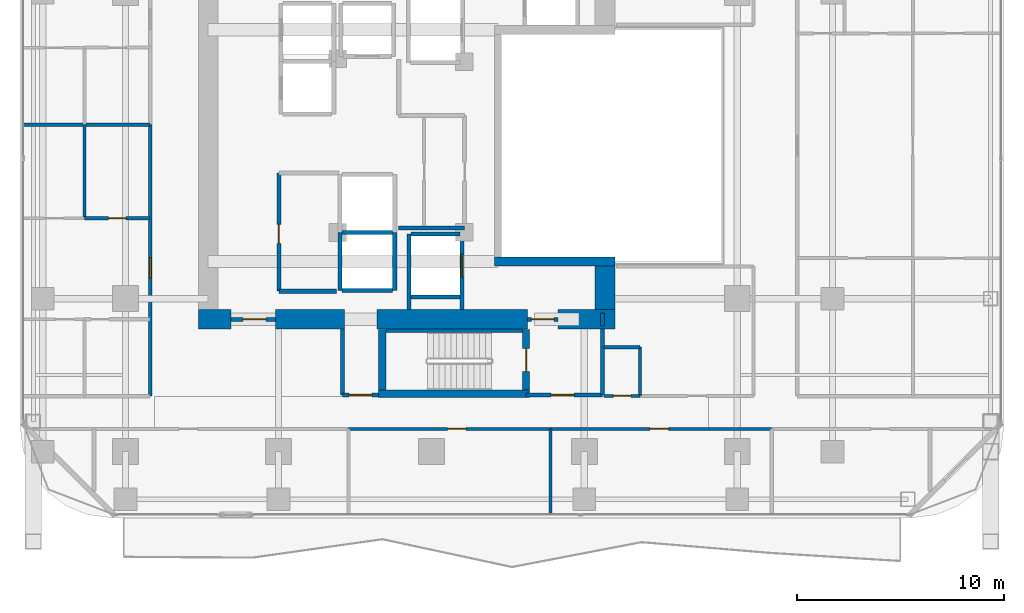
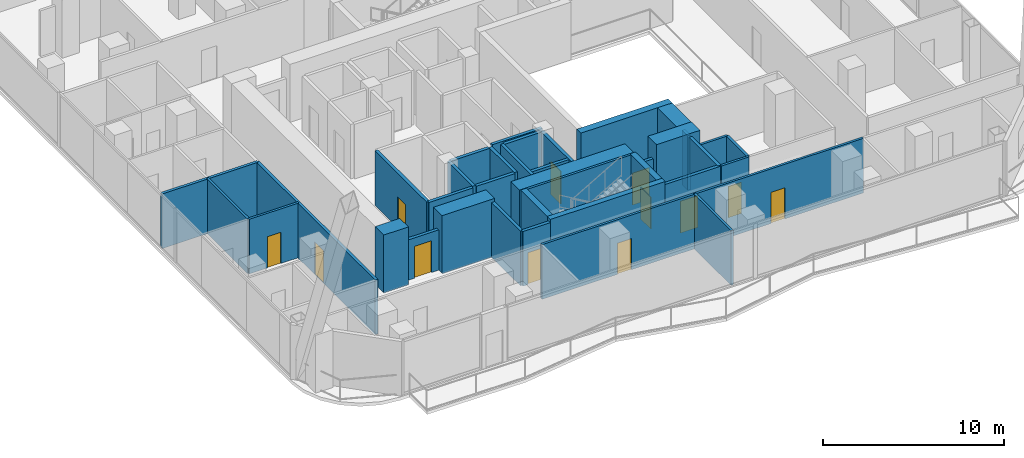
# One storey, part 21 of 28: 38 walls, 12 doors, 12 openings.
"""IFC4 building model written with IfcOpenShell, lengths in metres."""

from ifc_helpers import new_model, si_unit, direction, frame, frame_2d, origin, place, context, subcontext, project, spatial, rectangle, extrude, material, layer, layer_set, type_object, element, fill, save


model = new_model("IFC4")

# Units and contexts
model_context = context("Model", 3, precision=1e-05, world=origin(), true_north=direction((0.0, 1.0)))
body_context = subcontext(model_context, "Body", "Model", "MODEL_VIEW")
ifc_project = project(units=[si_unit("LENGTHUNIT", "METRE"), si_unit("AREAUNIT", "SQUARE_METRE"), si_unit("VOLUMEUNIT", "CUBIC_METRE"), si_unit("PLANEANGLEUNIT", "RADIAN"), si_unit("MASSUNIT", "GRAM", prefix="KILO")], contexts=[model_context])

# Site, building, storey
site_placement = place(None, origin())
site = spatial("IfcSite", under=ifc_project, at=site_placement, CompositionType="ELEMENT")
building_placement = place(site_placement, origin())
building = spatial("IfcBuilding", under=site, at=building_placement, Name="Khorvyn Point Tower", CompositionType="ELEMENT")
storey_placement = place(building_placement, frame((0.0, 0.0, 121.199951171875)))
storey = spatial("IfcBuildingStorey", under=building, at=storey_placement, Name="L30", CompositionType="ELEMENT", Elevation=121.199951171875)

# Wall, opening, door
ifc_material_1 = material(Name="Double acoustic gypsum on twin steel stud", Category="steel")
ifc_layer_1 = layer(ifc_material_1, 0.179931640625)
ifc_layer_set_1 = layer_set([ifc_layer_1], Name="Acoustic Double-Stud Apartment Demising Wall 180")
wall_type_1 = type_object("IfcWallType", Name="Acoustic Double-Stud Apartment Demising Wall 180", PredefinedType="PARTITIONING", material=ifc_layer_set_1)
wall_1_placement = place(storey_placement, frame((-13.60009765625, -12.1201171875, 0.0), z_axis=(0.0, 0.0, 1.0), x_axis=(0.0, 1.0, 0.0)))
wall_1 = element("IfcWall", 1, at=wall_1_placement, inside=storey, type_object=wall_type_1, Name="Wall", PredefinedType="PARTITIONING", context=body_context, shape_type="SweptSolid", body=[
    extrude(rectangle(XDim=13.13818359375, YDim=0.179931640625, at=frame_2d((6.569091796875, 0.0))), origin(), (0.0, 0.0, 1.0), 3.679931640625),
])
opening_1_placement = place(wall_1_placement, frame((5.7109375, 0.0, 0.0)))
opening_1 = element("IfcOpeningElement", 2, at=opening_1_placement, cuts=wall_1, Name="Opening ID-AP60", PredefinedType="OPENING", context=body_context, shape_type="SweptSolid", body=[
    extrude(rectangle(XDim=1.0, YDim=2.199951171875, at=frame_2d((0.5, 1.10009765625))), frame((0.0, 0.099853515625, 0.0), z_axis=(0.0, -1.0, 0.0), x_axis=(1.0, 0.0, 0.0)), (0.0, 0.0, 1.0), 0.199951171875),
])
ifc_material_2 = material(Name="Engineered hardwood fire-rated leaf", Category="wood")
door_type_1 = type_object("IfcDoorType", Name="Acoustic Solid-Core Timber Apartment Entrance Door 1000x2200", OperationType="NOTDEFINED", PredefinedType="DOOR", material=ifc_material_2)
door_1_placement = place(opening_1_placement, origin())
door_1 = element("IfcDoor", 3, at=door_1_placement, inside=storey, type_object=door_type_1, Name="Door", OperationType="SINGLE_SWING_RIGHT", OverallHeight=2.199951171875, OverallWidth=1.0, PredefinedType="DOOR", context=body_context, shape_type="SweptSolid", body=[
    extrude(rectangle(XDim=1.0, YDim=2.199951171875, at=frame_2d((0.5, 1.10009765625))), frame((0.0, 0.02490234375, 0.0), z_axis=(0.0, -1.0, 0.0), x_axis=(1.0, 0.0, 0.0)), (0.0, 0.0, 1.0), 0.050048828125),
])
fill(opening_1, door_1)

# Walls
wall_2_placement = place(storey_placement, frame((-19.72998046875, 1.01806640625, 0.0), z_axis=(0.0, 0.0, 1.0), x_axis=(1.0, 0.0, 0.0)))
element("IfcWall", 4, at=wall_2_placement, inside=storey, type_object=wall_type_1, Name="Wall", PredefinedType="PARTITIONING", context=body_context, shape_type="SweptSolid", body=[
    extrude(rectangle(XDim=6.1298828125, YDim=0.179931640625, at=frame_2d((3.06494140625, 0.0))), origin(), (0.0, 0.0, 1.0), 3.679931640625),
])
ifc_material_3 = material(Name="Concrete C40/50", Category="concrete")
ifc_layer_2 = layer(ifc_material_3, 0.449951171875)
ifc_layer_set_2 = layer_set([ifc_layer_2], Name="Concrete C40/50 Core Shear Wall 450")
wall_type_2 = type_object("IfcWallType", Name="Concrete C40/50 Core Shear Wall 450", PredefinedType="SHEAR", material=ifc_layer_set_2)
wall_3_placement = place(storey_placement, frame((3.044921875, -5.60009765625, 0.0), z_axis=(0.0, 0.0, 1.0), x_axis=(1.0, 0.0, 0.0)))
element("IfcWall", 5, at=wall_3_placement, inside=storey, type_object=wall_type_2, Name="Wall", PredefinedType="SHEAR", context=body_context, shape_type="SweptSolid", body=[
    extrude(rectangle(XDim=5.830078125, YDim=0.449951171875, at=frame_2d((2.9150390625, 0.0))), origin(), (0.0, 0.0, 1.0), 3.900146484375),
])

# Wall, opening, door
ifc_layer_3 = layer(ifc_material_3, 0.199951171875)
ifc_layer_set_3 = layer_set([ifc_layer_3], Name="Concrete C40/50 Fire-Lobby Compartment Wall 200")
wall_type_3 = type_object("IfcWallType", Name="Concrete C40/50 Fire-Lobby Compartment Wall 200", PredefinedType="SOLIDWALL", material=ifc_layer_set_3)
wall_4_placement = place(storey_placement, frame((4.580078125, -12.06005859375, 0.0), z_axis=(0.0, 0.0, 1.0), x_axis=(1.0, 0.0, 0.0)))
wall_4 = element("IfcWall", 6, at=wall_4_placement, inside=storey, type_object=wall_type_3, Name="Wall", PredefinedType="SOLIDWALL", context=body_context, shape_type="SweptSolid", body=[
    extrude(rectangle(XDim=3.699951171875, YDim=0.199951171875, at=frame_2d((1.85009765625, 0.0))), origin(), (0.0, 0.0, 1.0), 3.679931640625),
])
opening_2_placement = place(wall_4_placement, frame((1.21240234375, 0.0, 0.0)))
opening_2 = element("IfcOpeningElement", 7, at=opening_2_placement, cuts=wall_4, Name="Opening ID-FL90", PredefinedType="OPENING", context=body_context, shape_type="SweptSolid", body=[
    extrude(rectangle(XDim=1.10009765625, YDim=2.14990234375, at=frame_2d((0.550048828125, 1.074951171875))), frame((0.0, 0.10986328125, 0.0), z_axis=(0.0, -1.0, 0.0), x_axis=(1.0, 0.0, 0.0)), (0.0, 0.0, 1.0), 0.219970703125),
])
ifc_material_4 = material(Name="Galvanised powder-coated steel", Category="steel")
door_type_2 = type_object("IfcDoorType", Name="Fire-Rated Steel Lobby and Stair Door 1100x2150", OperationType="NOTDEFINED", PredefinedType="DOOR", material=ifc_material_4)
door_2_placement = place(opening_2_placement, origin())
door_2 = element("IfcDoor", 8, at=door_2_placement, inside=storey, type_object=door_type_2, Name="Door", OperationType="SINGLE_SWING_RIGHT", OverallHeight=2.14990234375, OverallWidth=1.10009765625, PredefinedType="DOOR", context=body_context, shape_type="SweptSolid", body=[
    extrude(rectangle(XDim=1.10009765625, YDim=2.14990234375, at=frame_2d((0.550048828125, 1.074951171875))), frame((0.0, 0.02490234375, 0.0), z_axis=(0.0, -1.0, 0.0), x_axis=(1.0, 0.0, 0.0)), (0.0, 0.0, 1.0), 0.050048828125),
])
fill(opening_2, door_2)

wall_5_placement = place(storey_placement, frame((4.64990234375, -8.39990234375, 0.0), z_axis=(0.0, 0.0, 1.0), x_axis=(1.0, 0.0, 0.0)))
wall_5 = element("IfcWall", 9, at=wall_5_placement, inside=storey, type_object=wall_type_3, Name="Wall", PredefinedType="SOLIDWALL", context=body_context, shape_type="SweptSolid", body=[
    extrude(rectangle(XDim=1.47021484375, YDim=0.199951171875, at=frame_2d((0.735107421875, 0.0))), origin(), (0.0, 0.0, 1.0), 2.719970703125),
])
opening_3_placement = place(wall_5_placement, frame((0.18505859375, 0.0, 0.0)))
opening_3 = element("IfcOpeningElement", 10, at=opening_3_placement, cuts=wall_5, Name="Opening ID-FL90", PredefinedType="OPENING", context=body_context, shape_type="SweptSolid", body=[
    extrude(rectangle(XDim=1.10009765625, YDim=2.14990234375, at=frame_2d((0.550048828125, 1.074951171875))), frame((0.0, 0.10986328125, 0.0), z_axis=(0.0, -1.0, 0.0), x_axis=(1.0, 0.0, 0.0)), (0.0, 0.0, 1.0), 0.219970703125),
])
door_3_placement = place(opening_3_placement, origin())
door_3 = element("IfcDoor", 11, at=door_3_placement, inside=storey, type_object=door_type_2, Name="Door", OperationType="SINGLE_SWING_LEFT", OverallHeight=2.14990234375, OverallWidth=1.10009765625, PredefinedType="DOOR", context=body_context, shape_type="SweptSolid", body=[
    extrude(rectangle(XDim=1.10009765625, YDim=2.14990234375, at=frame_2d((0.550048828125, 1.074951171875))), frame((0.0, 0.02490234375, 0.0), z_axis=(0.0, -1.0, 0.0), x_axis=(1.0, 0.0, 0.0)), (0.0, 0.0, 1.0), 0.050048828125),
])
fill(opening_3, door_3)

wall_6_placement = place(storey_placement, frame((-9.699951171875, -8.39990234375, 0.0), z_axis=(0.0, 0.0, 1.0), x_axis=(1.0, 0.0, 0.0)))
wall_6 = element("IfcWall", 12, at=wall_6_placement, inside=storey, type_object=wall_type_3, Name="Wall", PredefinedType="SOLIDWALL", context=body_context, shape_type="SweptSolid", body=[
    extrude(rectangle(XDim=2.14990234375, YDim=0.199951171875, at=frame_2d((1.074951171875, 0.0))), origin(), (0.0, 0.0, 1.0), 2.719970703125),
])
opening_4_placement = place(wall_6_placement, frame((0.597900390625, 0.0, 0.0)))
opening_4 = element("IfcOpeningElement", 13, at=opening_4_placement, cuts=wall_6, Name="Opening ID-FL90", PredefinedType="OPENING", context=body_context, shape_type="SweptSolid", body=[
    extrude(rectangle(XDim=1.10009765625, YDim=2.14990234375, at=frame_2d((0.550048828125, 1.074951171875))), frame((0.0, 0.10986328125, 0.0), z_axis=(0.0, -1.0, 0.0), x_axis=(1.0, 0.0, 0.0)), (0.0, 0.0, 1.0), 0.219970703125),
])
door_4_placement = place(opening_4_placement, origin())
door_4 = element("IfcDoor", 14, at=door_4_placement, inside=storey, type_object=door_type_2, Name="Door", OperationType="SINGLE_SWING_LEFT", OverallHeight=2.14990234375, OverallWidth=1.10009765625, PredefinedType="DOOR", context=body_context, shape_type="SweptSolid", body=[
    extrude(rectangle(XDim=1.10009765625, YDim=2.14990234375, at=frame_2d((0.550048828125, 1.074951171875))), frame((0.0, 0.02490234375, 0.0), z_axis=(0.0, -1.0, 0.0), x_axis=(1.0, 0.0, 0.0)), (0.0, 0.0, 1.0), 0.050048828125),
])
fill(opening_4, door_4)

wall_7_placement = place(storey_placement, frame((-4.300048828125, -12.06005859375, 0.0), z_axis=(0.0, 0.0, 1.0), x_axis=(1.0, 0.0, 0.0)))
wall_7 = element("IfcWall", 15, at=wall_7_placement, inside=storey, type_object=wall_type_3, Name="Wall", PredefinedType="SOLIDWALL", context=body_context, shape_type="SweptSolid", body=[
    extrude(rectangle(XDim=1.75, YDim=0.199951171875, at=frame_2d((0.875, 0.0))), origin(), (0.0, 0.0, 1.0), 3.679931640625),
])
opening_5_placement = place(wall_7_placement, frame((0.324951171875, 0.0, 0.0)))
opening_5 = element("IfcOpeningElement", 16, at=opening_5_placement, cuts=wall_7, Name="Opening ID-FL90", PredefinedType="OPENING", context=body_context, shape_type="SweptSolid", body=[
    extrude(rectangle(XDim=1.10009765625, YDim=2.14990234375, at=frame_2d((0.550048828125, 1.074951171875))), frame((0.0, 0.10986328125, 0.0), z_axis=(0.0, -1.0, 0.0), x_axis=(1.0, 0.0, 0.0)), (0.0, 0.0, 1.0), 0.219970703125),
])
door_5_placement = place(opening_5_placement, origin())
door_5 = element("IfcDoor", 17, at=door_5_placement, inside=storey, type_object=door_type_2, Name="Door", OperationType="SINGLE_SWING_LEFT", OverallHeight=2.14990234375, OverallWidth=1.10009765625, PredefinedType="DOOR", context=body_context, shape_type="SweptSolid", body=[
    extrude(rectangle(XDim=1.10009765625, YDim=2.14990234375, at=frame_2d((0.550048828125, 1.074951171875))), frame((0.0, 0.02490234375, 0.0), z_axis=(0.0, -1.0, 0.0), x_axis=(1.0, 0.0, 0.0)), (0.0, 0.0, 1.0), 0.050048828125),
])
fill(opening_5, door_5)

wall_8_placement = place(storey_placement, frame((-7.3798828125, -7.0400390625, 0.0), z_axis=(0.0, 0.0, 1.0), x_axis=(0.0, 1.0, 0.0)))
wall_8 = element("IfcWall", 18, at=wall_8_placement, inside=storey, type_object=wall_type_3, Name="Wall", PredefinedType="SOLIDWALL", context=body_context, shape_type="SweptSolid", body=[
    extrude(rectangle(XDim=5.719970703125, YDim=0.199951171875, at=frame_2d((2.85986328125, 0.0))), origin(), (0.0, 0.0, 1.0), 3.679931640625),
])
opening_6_placement = place(wall_8_placement, frame((2.310302734375, 0.0, 0.0)))
opening_6 = element("IfcOpeningElement", 19, at=opening_6_placement, cuts=wall_8, Name="Opening ID-RS60", PredefinedType="OPENING", context=body_context, shape_type="SweptSolid", body=[
    extrude(rectangle(XDim=0.919921875, YDim=2.10009765625, at=frame_2d((0.4599609375, 1.050048828125))), frame((0.0, 0.10986328125, 0.0), z_axis=(0.0, -1.0, 0.0), x_axis=(1.0, 0.0, 0.0)), (0.0, 0.0, 1.0), 0.219970703125),
])
door_type_3 = type_object("IfcDoorType", Name="Fire-Rated Riser and Store Steel Door 920x2100", OperationType="NOTDEFINED", PredefinedType="DOOR", material=ifc_material_4)
door_6_placement = place(opening_6_placement, origin())
door_6 = element("IfcDoor", 20, at=door_6_placement, inside=storey, type_object=door_type_3, Name="Door", OperationType="SINGLE_SWING_RIGHT", OverallHeight=2.10009765625, OverallWidth=0.919921875, PredefinedType="DOOR", context=body_context, shape_type="SweptSolid", body=[
    extrude(rectangle(XDim=0.919921875, YDim=2.10009765625, at=frame_2d((0.4599609375, 1.050048828125))), frame((0.0, 0.02490234375, 0.0), z_axis=(0.0, -1.0, 0.0), x_axis=(1.0, 0.0, 0.0)), (0.0, 0.0, 1.0), 0.050048828125),
])
fill(opening_6, door_6)

# Walls
for number, where, z_axis, x_axis, name in (
    (21, (8.280029296875, -12.06005859375, 0.0), (0.0, 0.0, 1.0), (0.0, 1.0, 0.0), "Wall"),
    (22, (-4.300048828125, -12.06005859375, 0.0), (0.0, 0.0, 1.0), (0.0, 1.0, 0.0), "Wall"),
):
    element("IfcWall", number, at=place(storey_placement, frame(where, z_axis=z_axis, x_axis=x_axis)), inside=storey, type_object=wall_type_3, Name=name, PredefinedType="SOLIDWALL", context=body_context, shape_type="SweptSolid", body=[
        extrude(rectangle(XDim=3.18505859375, YDim=0.199951171875, at=frame_2d((1.592529296875, 0.0))), origin(), (0.0, 0.0, 1.0), 3.679931640625),
    ])
wall_9_placement = place(storey_placement, frame((-1.580078125, -3.97998046875, 0.0), z_axis=(0.0, 0.0, 1.0), x_axis=(1.0, 0.0, 0.0)))
element("IfcWall", 23, at=wall_9_placement, inside=storey, type_object=wall_type_3, Name="Wall", PredefinedType="SOLIDWALL", context=body_context, shape_type="SweptSolid", body=[
    extrude(rectangle(XDim=3.190185546875, YDim=0.199951171875, at=frame_2d((1.59521484375, 0.0))), origin(), (0.0, 0.0, 1.0), 3.679931640625),
])
wall_10_placement = place(storey_placement, frame((-7.3798828125, -7.0400390625, 0.0), z_axis=(0.0, 0.0, 1.0), x_axis=(1.0, 0.0, 0.0)))
element("IfcWall", 24, at=wall_10_placement, inside=storey, type_object=wall_type_3, Name="Wall", PredefinedType="SOLIDWALL", context=body_context, shape_type="SweptSolid", body=[
    extrude(rectangle(XDim=2.7998046875, YDim=0.199951171875, at=frame_2d((1.39990234375, 0.0))), origin(), (0.0, 0.0, 1.0), 3.679931640625),
])
wall_11_placement = place(storey_placement, frame((8.280029296875, -8.72509765625, 0.0), z_axis=(0.0, 0.0, 1.0), x_axis=(0.0, 1.0, 0.0)))
element("IfcWall", 25, at=wall_11_placement, inside=storey, type_object=wall_type_3, Name="Wall", PredefinedType="SOLIDWALL", context=body_context, shape_type="SweptSolid", body=[
    extrude(rectangle(XDim=0.625, YDim=0.199951171875, at=frame_2d((0.3125, 0.0))), origin(), (0.0, 0.0, 1.0), 3.679931640625),
])
ifc_layer_4 = layer(ifc_material_3, 0.25)
ifc_layer_set_4 = layer_set([ifc_layer_4], Name="Concrete C40/50 Stair Inner Cheek Structural Wall 250")
wall_type_4 = type_object("IfcWallType", Name="Concrete C40/50 Stair Inner Cheek Structural Wall 250", PredefinedType="SHEAR", material=ifc_layer_set_4)
wall_12_placement = place(storey_placement, frame((-2.199951171875, -8.949951171875, 0.0), z_axis=(0.0, 0.0, 1.0), x_axis=(1.0, 0.0, 0.0)))
element("IfcWall", 26, at=wall_12_placement, inside=storey, type_object=wall_type_4, Name="Wall", PredefinedType="SHEAR", context=body_context, shape_type="SweptSolid", body=[
    extrude(rectangle(XDim=6.599853515625, YDim=0.14990234375, at=frame_2d((3.2998046875, 0.0))), origin(), (0.0, 0.0, 1.0), 3.900146484375),
])
ifc_layer_5 = layer(ifc_material_3, 0.35009765625)
ifc_layer_set_5 = layer_set([ifc_layer_5], Name="Concrete C40/50 Stair Shaft Structural Wall 350")
wall_type_5 = type_object("IfcWallType", Name="Concrete C40/50 Stair Shaft Structural Wall 350", PredefinedType="SHEAR", material=ifc_layer_set_5)
wall_13_placement = place(storey_placement, frame((-2.554931640625, -12.0, 0.0), z_axis=(0.0, 0.0, 1.0), x_axis=(1.0, 0.0, 0.0)))
element("IfcWall", 27, at=wall_13_placement, inside=storey, type_object=wall_type_5, Name="L30 ST-01 South Shaft Wall", PredefinedType="SHEAR", context=body_context, shape_type="SweptSolid", body=[
    extrude(rectangle(XDim=7.309814453125, YDim=0.35009765625, at=frame_2d((3.65478515625, 0.0))), origin(), (0.0, 0.0, 1.0), 3.900146484375),
])
wall_14_placement = place(storey_placement, frame((-2.3798828125, -11.824951171875, 0.0), z_axis=(0.0, 0.0, 1.0), x_axis=(0.0, 1.0, 0.0)))
element("IfcWall", 28, at=wall_14_placement, inside=storey, type_object=wall_type_5, Name="L30 ST-01 West Shaft Wall", PredefinedType="SHEAR", context=body_context, shape_type="SweptSolid", body=[
    extrude(rectangle(XDim=2.925048828125, YDim=0.35009765625, at=frame_2d((1.46240234375, 0.0))), origin(), (0.0, 0.0, 1.0), 3.900146484375),
])

# Wall, opening, door
wall_15_placement = place(storey_placement, frame((4.580078125, -8.89990234375, 0.0), z_axis=(0.0, 0.0, 1.0), x_axis=(0.0, -1.0, 0.0)))
wall_15 = element("IfcWall", 29, at=wall_15_placement, inside=storey, type_object=wall_type_5, Name="L30 ST-01 East Landing Door Wall", PredefinedType="SHEAR", context=body_context, shape_type="SweptSolid", body=[
    extrude(rectangle(XDim=2.925048828125, YDim=0.35009765625, at=frame_2d((1.46240234375, 0.0))), origin(), (0.0, 0.0, 1.0), 3.900146484375),
])
opening_7_placement = place(wall_15_placement, frame((0.91259765625, 0.0, 0.0)))
opening_7 = element("IfcOpeningElement", 30, at=opening_7_placement, cuts=wall_15, Name="Opening ID-FL90", PredefinedType="OPENING", context=body_context, shape_type="SweptSolid", body=[
    extrude(rectangle(XDim=1.10009765625, YDim=2.14990234375, at=frame_2d((0.550048828125, 1.074951171875))), frame((0.0, 0.18505859375, 0.0), z_axis=(0.0, -1.0, 0.0), x_axis=(1.0, 0.0, 0.0)), (0.0, 0.0, 1.0), 0.3701171875),
])
door_7_placement = place(opening_7_placement, origin())
door_7 = element("IfcDoor", 31, at=door_7_placement, inside=storey, type_object=door_type_2, Name="L30 ST-01 Smokeproof Landing Door", OperationType="SINGLE_SWING_RIGHT", OverallHeight=2.14990234375, OverallWidth=1.10009765625, PredefinedType="DOOR", context=body_context, shape_type="SweptSolid", body=[
    extrude(rectangle(XDim=1.10009765625, YDim=2.14990234375, at=frame_2d((0.550048828125, 1.074951171875))), frame((0.0, 0.02490234375, 0.0), z_axis=(0.0, -1.0, 0.0), x_axis=(1.0, 0.0, 0.0)), (0.0, 0.0, 1.0), 0.050048828125),
])
fill(opening_7, door_7)

# Walls
ifc_layer_6 = layer(ifc_material_3, 0.199951171875)
ifc_layer_set_6 = layer_set([ifc_layer_6], Name="Concrete C40/50 Structural Hoistway and Stair Shaft Wall 200")
wall_type_6 = type_object("IfcWallType", Name="Concrete C40/50 Structural Hoistway and Stair Shaft Wall 200", PredefinedType="SHEAR", material=ifc_layer_set_6)
for number, where, z_axis, x_axis, name in (
    (32, (-4.425048828125, -7.0, 0.0), (0.0, 0.0, 1.0), (0.0, 1.0, 0.0), "Wall"),
    (33, (-1.77490234375, -7.0, 0.0), (0.0, 0.0, 1.0), (0.0, 1.0, 0.0), "Wall"),
):
    element("IfcWall", number, at=place(storey_placement, frame(where, z_axis=z_axis, x_axis=x_axis)), inside=storey, type_object=wall_type_6, Name=name, PredefinedType="SHEAR", context=body_context, shape_type="SweptSolid", body=[
        extrude(rectangle(XDim=2.800048828125, YDim=0.199951171875, at=frame_2d((1.39990234375, 0.0))), origin(), (0.0, 0.0, 1.0), 3.679931640625),
    ])
for number, where, z_axis, x_axis, name in (
    (34, (-4.324951171875, -7.0, 0.0), (0.0, 0.0, 1.0), (1.0, 0.0, 0.0), "Wall"),
    (35, (-4.324951171875, -4.199951171875, 0.0), (0.0, 0.0, 1.0), (1.0, 0.0, 0.0), "Wall"),
):
    element("IfcWall", number, at=place(storey_placement, frame(where, z_axis=z_axis, x_axis=x_axis)), inside=storey, type_object=wall_type_6, Name=name, PredefinedType="SHEAR", context=body_context, shape_type="SweptSolid", body=[
        extrude(rectangle(XDim=2.449951171875, YDim=0.199951171875, at=frame_2d((1.22509765625, 0.0))), origin(), (0.0, 0.0, 1.0), 3.679931640625),
    ])
wall_16_placement = place(storey_placement, frame((-1.074951171875, -7.925048828125, 0.0), z_axis=(0.0, 0.0, 1.0), x_axis=(0.0, 1.0, 0.0)))
element("IfcWall", 36, at=wall_16_placement, inside=storey, type_object=wall_type_6, Name="Wall", PredefinedType="SHEAR", context=body_context, shape_type="SweptSolid", body=[
    extrude(rectangle(XDim=3.650146484375, YDim=0.199951171875, at=frame_2d((1.8251953125, 0.0))), origin(), (0.0, 0.0, 1.0), 3.679931640625),
])

# Wall, opening, door
wall_17_placement = place(storey_placement, frame((1.47509765625, -7.925048828125, 0.0), z_axis=(0.0, 0.0, 1.0), x_axis=(0.0, 1.0, 0.0)))
wall_17 = element("IfcWall", 37, at=wall_17_placement, inside=storey, type_object=wall_type_6, Name="Wall", PredefinedType="SHEAR", context=body_context, shape_type="SweptSolid", body=[
    extrude(rectangle(XDim=3.650146484375, YDim=0.199951171875, at=frame_2d((1.8251953125, 0.0))), origin(), (0.0, 0.0, 1.0), 3.679931640625),
])
opening_8_placement = place(wall_17_placement, frame((1.574951171875, 0.0, 0.0)))
opening_8 = element("IfcOpeningElement", 38, at=opening_8_placement, cuts=wall_17, Name="Opening LD-1122", PredefinedType="OPENING", context=body_context, shape_type="SweptSolid", body=[
    extrude(rectangle(XDim=1.10009765625, YDim=2.199951171875, at=frame_2d((0.550048828125, 1.10009765625))), frame((0.0, 0.10986328125, 0.0), z_axis=(0.0, -1.0, 0.0), x_axis=(1.0, 0.0, 0.0)), (0.0, 0.0, 1.0), 0.219970703125),
])
ifc_material_5 = material(Name="Stainless steel 1.4301", Category="steel")
door_type_4 = type_object("IfcDoorType", Name="Stainless Steel Automatic Sliding Lift Landing Door 1100x2200", OperationType="SLIDING_TO_LEFT", PredefinedType="DOOR", material=ifc_material_5)
door_8_placement = place(opening_8_placement, origin())
door_8 = element("IfcDoor", 39, at=door_8_placement, inside=storey, type_object=door_type_4, Name="L30 FF-01 Sliding Lift Landing Door", OperationType="SLIDING_TO_LEFT", OverallHeight=2.199951171875, OverallWidth=1.10009765625, PredefinedType="DOOR", context=body_context, shape_type="SweptSolid", body=[
    extrude(rectangle(XDim=1.10009765625, YDim=2.199951171875, at=frame_2d((0.550048828125, 1.10009765625))), frame((0.0, 0.02490234375, 0.0), z_axis=(0.0, -1.0, 0.0), x_axis=(1.0, 0.0, 0.0)), (0.0, 0.0, 1.0), 0.050048828125),
])
fill(opening_8, door_8)

# Walls
for number, where, z_axis, x_axis, name in (
    (40, (-0.97509765625, -7.324951171875, 0.0), (0.0, 0.0, 1.0), (1.0, 0.0, 0.0), "Wall"),
    (41, (-0.97509765625, -4.27490234375, 0.0), (0.0, 0.0, 1.0), (1.0, 0.0, 0.0), "Wall"),
):
    element("IfcWall", number, at=place(storey_placement, frame(where, z_axis=z_axis, x_axis=x_axis)), inside=storey, type_object=wall_type_6, Name=name, PredefinedType="SHEAR", context=body_context, shape_type="SweptSolid", body=[
        extrude(rectangle(XDim=2.35009765625, YDim=0.199951171875, at=frame_2d((1.175048828125, 0.0))), origin(), (0.0, 0.0, 1.0), 3.679931640625),
    ])
ifc_material_6 = material(Name="Concrete C50/60", Category="concrete")
ifc_layer_7 = layer(ifc_material_6, 0.949951171875)
ifc_layer_set_7 = layer_set([ifc_layer_7], Name="Concrete C50/60 Core Shear Wall 950")
wall_type_7 = type_object("IfcWallType", Name="Concrete C50/60 Core Shear Wall 950", PredefinedType="SHEAR", material=ifc_layer_set_7)
wall_18_placement = place(storey_placement, frame((-11.27490234375, -8.39990234375, 0.0), z_axis=(0.0, 0.0, 1.0), x_axis=(1.0, 0.0, 0.0)))
element("IfcWall", 42, at=wall_18_placement, inside=storey, type_object=wall_type_7, Name="Wall", PredefinedType="SHEAR", context=body_context, shape_type="SweptSolid", body=[
    extrude(rectangle(XDim=1.574951171875, YDim=0.949951171875, at=frame_2d((0.78759765625, 0.0))), origin(), (0.0, 0.0, 1.0), 3.900146484375),
])
wall_19_placement = place(storey_placement, frame((-7.550048828125, -8.39990234375, 0.0), z_axis=(0.0, 0.0, 1.0), x_axis=(1.0, 0.0, 0.0)))
element("IfcWall", 43, at=wall_19_placement, inside=storey, type_object=wall_type_7, Name="Wall", PredefinedType="SHEAR", context=body_context, shape_type="SweptSolid", body=[
    extrude(rectangle(XDim=3.35009765625, YDim=0.949951171875, at=frame_2d((1.675048828125, 0.0))), origin(), (0.0, 0.0, 1.0), 3.900146484375),
])
wall_20_placement = place(storey_placement, frame((-2.6201171875, -8.39990234375, 0.0), z_axis=(0.0, 0.0, 1.0), x_axis=(1.0, 0.0, 0.0)))
element("IfcWall", 44, at=wall_20_placement, inside=storey, type_object=wall_type_7, Name="Wall", PredefinedType="SHEAR", context=body_context, shape_type="SweptSolid", body=[
    extrude(rectangle(XDim=7.27001953125, YDim=0.949951171875, at=frame_2d((3.635009765625, 0.0))), origin(), (0.0, 0.0, 1.0), 3.900146484375),
])
wall_21_placement = place(storey_placement, frame((6.1201171875, -8.39990234375, 0.0), z_axis=(0.0, 0.0, 1.0), x_axis=(1.0, 0.0, 0.0)))
element("IfcWall", 45, at=wall_21_placement, inside=storey, type_object=wall_type_7, Name="Wall", PredefinedType="SHEAR", context=body_context, shape_type="SweptSolid", body=[
    extrude(rectangle(XDim=2.7548828125, YDim=0.949951171875, at=frame_2d((1.37744140625, 0.0))), origin(), (0.0, 0.0, 1.0), 3.900146484375),
])
wall_22_placement = place(storey_placement, frame((8.39990234375, -7.925048828125, 0.0), z_axis=(0.0, 0.0, 1.0), x_axis=(0.0, 1.0, 0.0)))
element("IfcWall", 46, at=wall_22_placement, inside=storey, type_object=wall_type_7, Name="Wall", PredefinedType="SHEAR", context=body_context, shape_type="SweptSolid", body=[
    extrude(rectangle(XDim=2.10009765625, YDim=0.949951171875, at=frame_2d((1.050048828125, 0.0))), origin(), (0.0, 0.0, 1.0), 3.900146484375),
])

# Wall, opening, door
ifc_material_7 = material(Name="Moisture-resistant gypsum and cement board", Category="gypsum")
ifc_layer_8 = layer(ifc_material_7, 0.14990234375)
ifc_layer_set_8 = layer_set([ifc_layer_8], Name="Moisture-Resistant Wet-Room Partition Wall 150")
wall_type_8 = type_object("IfcWallType", Name="Moisture-Resistant Wet-Room Partition Wall 150", PredefinedType="PARTITIONING", material=ifc_layer_set_8)
wall_23_placement = place(storey_placement, frame((8.360107421875, -12.10009765625, 0.0), z_axis=(0.0, 0.0, 1.0), x_axis=(1.0, 0.0, 0.0)))
wall_23 = element("IfcWall", 47, at=wall_23_placement, inside=storey, type_object=wall_type_8, Name="Wall", PredefinedType="PARTITIONING", context=body_context, shape_type="SweptSolid", body=[
    extrude(rectangle(XDim=1.739990234375, YDim=0.14990234375, at=frame_2d((0.8701171875, 0.0))), origin(), (0.0, 0.0, 1.0), 3.679931640625),
])
opening_9_placement = place(wall_23_placement, frame((0.445068359375, 0.0, 0.0)))
opening_9 = element("IfcOpeningElement", 48, at=opening_9_placement, cuts=wall_23, Name="Opening ID-WC85", PredefinedType="OPENING", context=body_context, shape_type="SweptSolid", body=[
    extrude(rectangle(XDim=0.85009765625, YDim=2.10009765625, at=frame_2d((0.425048828125, 1.050048828125))), frame((0.0, 0.0849609375, 0.0), z_axis=(0.0, -1.0, 0.0), x_axis=(1.0, 0.0, 0.0)), (0.0, 0.0, 1.0), 0.169921875),
])
ifc_material_8 = material(Name="High-pressure laminate on moisture-resistant core", Category="wood")
door_type_5 = type_object("IfcDoorType", Name="Moisture-Resistant Accessible Washroom Door 850x2100", OperationType="NOTDEFINED", PredefinedType="DOOR", material=ifc_material_8)
door_9_placement = place(opening_9_placement, origin())
door_9 = element("IfcDoor", 49, at=door_9_placement, inside=storey, type_object=door_type_5, Name="Door", OperationType="SINGLE_SWING_LEFT", OverallHeight=2.10009765625, OverallWidth=0.85009765625, PredefinedType="DOOR", context=body_context, shape_type="SweptSolid", body=[
    extrude(rectangle(XDim=0.85009765625, YDim=2.10009765625, at=frame_2d((0.425048828125, 1.050048828125))), frame((0.0, 0.02490234375, 0.0), z_axis=(0.0, -1.0, 0.0), x_axis=(1.0, 0.0, 0.0)), (0.0, 0.0, 1.0), 0.050048828125),
])
fill(opening_9, door_9)

wall_24_placement = place(storey_placement, frame((-4.011962890625, -13.699951171875, 0.0), z_axis=(0.0, 0.0, 1.0), x_axis=(1.0, 0.0, 0.0)))
wall_24 = element("IfcWall", 50, at=wall_24_placement, inside=storey, type_object=wall_type_8, Name="Wall", PredefinedType="PARTITIONING", context=body_context, shape_type="SweptSolid", body=[
    extrude(rectangle(XDim=9.77294921875, YDim=0.14990234375, at=frame_2d((4.886474609375, 0.0))), origin(), (0.0, 0.0, 1.0), 3.679931640625),
])
opening_10_placement = place(wall_24_placement, frame((4.79296875, 0.0, 0.0)))
opening_10 = element("IfcOpeningElement", 51, at=opening_10_placement, cuts=wall_24, Name="Opening ID-RM90", PredefinedType="OPENING", context=body_context, shape_type="SweptSolid", body=[
    extrude(rectangle(XDim=0.89990234375, YDim=2.10009765625, at=frame_2d((0.449951171875, 1.050048828125))), frame((0.0, 0.0849609375, 0.0), z_axis=(0.0, -1.0, 0.0), x_axis=(1.0, 0.0, 0.0)), (0.0, 0.0, 1.0), 0.169921875),
])
ifc_material_9 = material(Name="Engineered oak veneer timber", Category="wood")
door_type_6 = type_object("IfcDoorType", Name="Flush Engineered Timber Room Door 900x2100", OperationType="NOTDEFINED", PredefinedType="DOOR", material=ifc_material_9)
door_10_placement = place(opening_10_placement, origin())
door_10 = element("IfcDoor", 52, at=door_10_placement, inside=storey, type_object=door_type_6, Name="Door", OperationType="SINGLE_SWING_LEFT", OverallHeight=2.10009765625, OverallWidth=0.89990234375, PredefinedType="DOOR", context=body_context, shape_type="SweptSolid", body=[
    extrude(rectangle(XDim=0.89990234375, YDim=2.10009765625, at=frame_2d((0.449951171875, 1.050048828125))), frame((0.0, 0.02490234375, 0.0), z_axis=(0.0, -1.0, 0.0), x_axis=(1.0, 0.0, 0.0)), (0.0, 0.0, 1.0), 0.050048828125),
])
fill(opening_10, door_10)

wall_25_placement = place(storey_placement, frame((5.760986328125, -13.699951171875, 0.0), z_axis=(0.0, 0.0, 1.0), x_axis=(1.0, 0.0, 0.0)))
wall_25 = element("IfcWall", 53, at=wall_25_placement, inside=storey, type_object=wall_type_8, Name="Wall", PredefinedType="PARTITIONING", context=body_context, shape_type="SweptSolid", body=[
    extrude(rectangle(XDim=10.7041015625, YDim=0.14990234375, at=frame_2d((5.35205078125, 0.0))), origin(), (0.0, 0.0, 1.0), 3.679931640625),
])
opening_11_placement = place(wall_25_placement, frame((4.8125, 0.0, 0.0)))
opening_11 = element("IfcOpeningElement", 54, at=opening_11_placement, cuts=wall_25, Name="Opening ID-RM90", PredefinedType="OPENING", context=body_context, shape_type="SweptSolid", body=[
    extrude(rectangle(XDim=0.89990234375, YDim=2.10009765625, at=frame_2d((0.449951171875, 1.050048828125))), frame((0.0, 0.0849609375, 0.0), z_axis=(0.0, -1.0, 0.0), x_axis=(1.0, 0.0, 0.0)), (0.0, 0.0, 1.0), 0.169921875),
])
door_11_placement = place(opening_11_placement, origin())
door_11 = element("IfcDoor", 55, at=door_11_placement, inside=storey, type_object=door_type_6, Name="Door", OperationType="SINGLE_SWING_RIGHT", OverallHeight=2.10009765625, OverallWidth=0.89990234375, PredefinedType="DOOR", context=body_context, shape_type="SweptSolid", body=[
    extrude(rectangle(XDim=0.89990234375, YDim=2.10009765625, at=frame_2d((0.449951171875, 1.050048828125))), frame((0.0, 0.02490234375, 0.0), z_axis=(0.0, -1.0, 0.0), x_axis=(1.0, 0.0, 0.0)), (0.0, 0.0, 1.0), 0.050048828125),
])
fill(opening_11, door_11)

wall_26_placement = place(storey_placement, frame((-16.783935546875, -3.508056640625, 0.0), z_axis=(0.0, 0.0, 1.0), x_axis=(1.0, 0.0, 0.0)))
wall_26 = element("IfcWall", 56, at=wall_26_placement, inside=storey, type_object=wall_type_8, Name="Wall", PredefinedType="PARTITIONING", context=body_context, shape_type="SweptSolid", body=[
    extrude(rectangle(XDim=3.183837890625, YDim=0.14990234375, at=frame_2d((1.591796875, 0.0))), origin(), (0.0, 0.0, 1.0), 3.679931640625),
])
opening_12_placement = place(wall_26_placement, frame((1.1669921875, 0.0, 0.0)))
opening_12 = element("IfcOpeningElement", 57, at=opening_12_placement, cuts=wall_26, Name="Opening ID-WC85", PredefinedType="OPENING", context=body_context, shape_type="SweptSolid", body=[
    extrude(rectangle(XDim=0.85009765625, YDim=2.10009765625, at=frame_2d((0.425048828125, 1.050048828125))), frame((0.0, 0.0849609375, 0.0), z_axis=(0.0, -1.0, 0.0), x_axis=(1.0, 0.0, 0.0)), (0.0, 0.0, 1.0), 0.169921875),
])
door_12_placement = place(opening_12_placement, origin())
door_12 = element("IfcDoor", 58, at=door_12_placement, inside=storey, type_object=door_type_5, Name="Door", OperationType="SINGLE_SWING_LEFT", OverallHeight=2.10009765625, OverallWidth=0.85009765625, PredefinedType="DOOR", context=body_context, shape_type="SweptSolid", body=[
    extrude(rectangle(XDim=0.85009765625, YDim=2.10009765625, at=frame_2d((0.425048828125, 1.050048828125))), frame((0.0, 0.02490234375, 0.0), z_axis=(0.0, -1.0, 0.0), x_axis=(1.0, 0.0, 0.0)), (0.0, 0.0, 1.0), 0.050048828125),
])
fill(opening_12, door_12)

# Walls
wall_27_placement = place(storey_placement, frame((8.360107421875, -9.75, 0.0), z_axis=(0.0, 0.0, 1.0), x_axis=(1.0, 0.0, 0.0)))
element("IfcWall", 59, at=wall_27_placement, inside=storey, type_object=wall_type_8, Name="Wall", PredefinedType="PARTITIONING", context=body_context, shape_type="SweptSolid", body=[
    extrude(rectangle(XDim=1.739990234375, YDim=0.14990234375, at=frame_2d((0.8701171875, 0.0))), origin(), (0.0, 0.0, 1.0), 3.679931640625),
])
wall_28_placement = place(storey_placement, frame((10.10009765625, -12.10009765625, 0.0), z_axis=(0.0, 0.0, 1.0), x_axis=(0.0, 1.0, 0.0)))
element("IfcWall", 60, at=wall_28_placement, inside=storey, type_object=wall_type_8, Name="Wall", PredefinedType="PARTITIONING", context=body_context, shape_type="SweptSolid", body=[
    extrude(rectangle(XDim=2.35009765625, YDim=0.14990234375, at=frame_2d((1.175048828125, 0.0))), origin(), (0.0, 0.0, 1.0), 3.679931640625),
])
wall_29_placement = place(storey_placement, frame((5.760986328125, -17.830078125, 0.0), z_axis=(0.0, 0.0, 1.0), x_axis=(0.0, 1.0, 0.0)))
element("IfcWall", 61, at=wall_29_placement, inside=storey, type_object=wall_type_8, Name="Wall", PredefinedType="PARTITIONING", context=body_context, shape_type="SweptSolid", body=[
    extrude(rectangle(XDim=4.130126953125, YDim=0.14990234375, at=frame_2d((2.06494140625, 0.0))), origin(), (0.0, 0.0, 1.0), 3.679931640625),
])
wall_30_placement = place(storey_placement, frame((-16.783935546875, -3.508056640625, 0.0), z_axis=(0.0, 0.0, 1.0), x_axis=(0.0, 1.0, 0.0)))
element("IfcWall", 62, at=wall_30_placement, inside=storey, type_object=wall_type_8, Name="Wall", PredefinedType="PARTITIONING", context=body_context, shape_type="SweptSolid", body=[
    extrude(rectangle(XDim=4.526123046875, YDim=0.14990234375, at=frame_2d((2.26318359375, 0.0))), origin(), (0.0, 0.0, 1.0), 3.679931640625),
])

save(model, "model.ifc")
